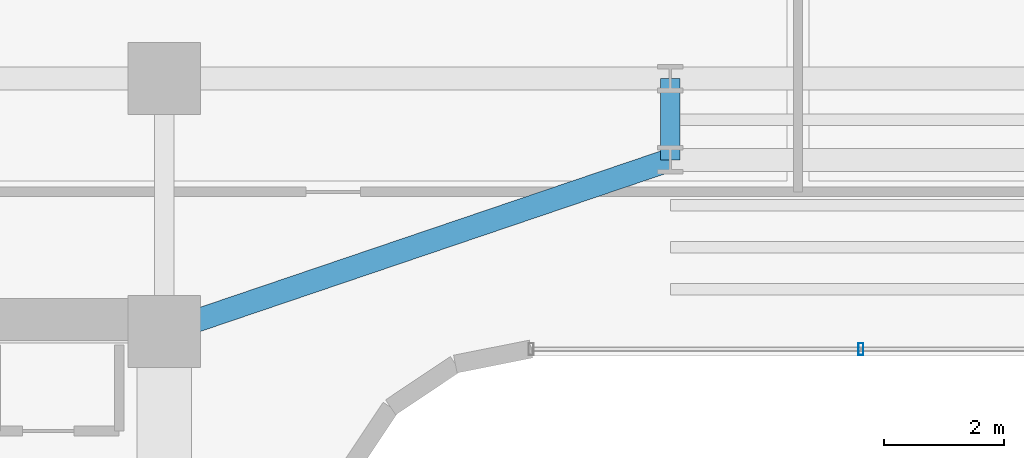
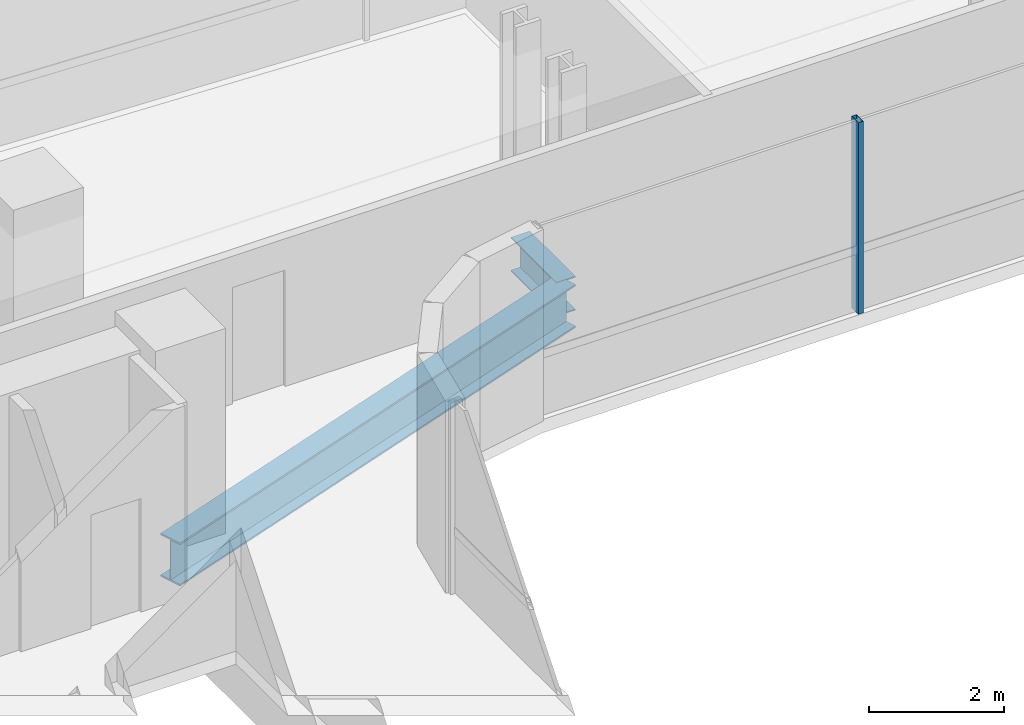
# One storey, part 10 of 34: 2 beams, 1 member, 1 element without a shape of its own.
"""IFC4 building model written with IfcOpenShell, lengths in metres."""

from ifc_helpers import new_model, si_unit, direction, frame, origin, origin_2d, place, context, subcontext, project, spatial, hollow_rectangle, i_section, extrude, source, transform, mapped, material, material_profile, profile_set, type_object, element, aggregate, save


model = new_model("IFC4")

# Units and contexts
model_context = context("Model", 3, precision=1e-05, world=origin(), true_north=direction((0.0, 1.0)))
body_context = subcontext(model_context, "Body", "Model", "MODEL_VIEW")
ifc_project = project(units=[si_unit("LENGTHUNIT", "METRE"), si_unit("AREAUNIT", "SQUARE_METRE"), si_unit("VOLUMEUNIT", "CUBIC_METRE"), si_unit("PLANEANGLEUNIT", "RADIAN"), si_unit("MASSUNIT", "GRAM", prefix="KILO")], contexts=[model_context])

# Site, building, storey
site_placement = place(None, origin())
site = spatial("IfcSite", under=ifc_project, at=site_placement, CompositionType="ELEMENT")
building_placement = place(site_placement, origin())
building = spatial("IfcBuilding", under=site, at=building_placement, Name="Valdorenza Pilgrim Sanctuary Tower", CompositionType="ELEMENT")
storey_placement = place(building_placement, frame((0.0, 0.0, 146.39990234375)))
storey = spatial("IfcBuildingStorey", under=building, at=storey_placement, Name="L37", CompositionType="ELEMENT", Elevation=146.39990234375)

# Beams
ifc_material_1 = material(Name="Steel ASTM A992 Grade 50", Category="steel")
ifc_material_profile_1 = material_profile(ifc_material_1, i_section(OverallWidth=0.323974609375, OverallDepth=0.611083984375, WebThickness=0.0126953125, FlangeThickness=0.01904296875, at=origin_2d()), Name="W24X104")
ifc_profile_set_1 = profile_set([ifc_material_profile_1], Name="Steel ASTM A992 Grade 50")
beam_type_1 = type_object("IfcBeamType", Name="STR-BM-GRD-W24B", PredefinedType="BEAM", material=ifc_profile_set_1)
shared_shape_1 = source(origin(), body_context, "Body", "SweptSolid", [
    extrude(i_section(OverallWidth=0.323974609375, OverallDepth=0.611083984375, WebThickness=0.0126953125, FlangeThickness=0.01904296875, at=origin_2d()), origin(), (0.0, 0.0, 1.0), 1.35009765625),
])
beam_1_placement = place(storey_placement, frame((-4.0, 13.449951171875, -0.54541015625), z_axis=(0.0, 1.0, 0.0), x_axis=(-1.0, 0.0, 0.0)))
element("IfcBeam", 1, at=beam_1_placement, inside=storey, type_object=beam_type_1, Name="L37 Floor Girder KNK-TIE-W", PredefinedType="BEAM", context=body_context, shape_type="MappedRepresentation", body=[
    mapped(shared_shape_1, transform((0.0, 0.0, 0.0), x_axis=(1.0, 0.0, 0.0), y_axis=(0.0, 1.0, 0.0), z_axis=(0.0, 0.0, 1.0), scale=1.0)),
])
ifc_material_profile_2 = material_profile(ifc_material_1, i_section(OverallWidth=0.382080078125, OverallDepth=0.779052734375, WebThickness=0.01806640625, FlangeThickness=0.030029296875, at=origin_2d()), Name="W30X191")
ifc_profile_set_2 = profile_set([ifc_material_profile_2], Name="Steel ASTM A992 Grade 50")
beam_type_2 = type_object("IfcBeamType", Name="STR-BM-GRD-W30", PredefinedType="BEAM", material=ifc_profile_set_2)
shared_shape_2 = source(origin(), body_context, "Body", "SweptSolid", [
    extrude(i_section(OverallWidth=0.382080078125, OverallDepth=0.779052734375, WebThickness=0.01806640625, FlangeThickness=0.030029296875, at=origin_2d()), origin(), (0.0, 0.0, 1.0), 8.8701171875),
])
beam_2_placement = place(storey_placement, frame((-12.39990234375, 10.60009765625, -0.62939453125), z_axis=(0.946982588361, 0.321284885018, 0.0), x_axis=(-0.321284885018, 0.946982588361, 0.0)))
element("IfcBeam", 2, at=beam_2_placement, inside=storey, type_object=beam_type_2, Name="L37 Floor Girder KNK-G1", PredefinedType="BEAM", context=body_context, shape_type="MappedRepresentation", body=[
    mapped(shared_shape_2, transform((0.0, 0.0, 0.0), x_axis=(1.0, 0.0, 0.0), y_axis=(0.0, 1.0, 0.0), z_axis=(0.0, 0.0, 1.0), scale=1.0)),
])

# Curtain wall, member
ifc_material_2 = material(Name="Curtain-wall IGU glazing", Category="glass")
curtain_wall_type = type_object("IfcCurtainWallType", Name="CW-SYS-02", PredefinedType="NOTDEFINED", material=ifc_material_2)
curtain_wall_placement = place(storey_placement, origin())
curtain_wall = element("IfcCurtainWall", 3, at=curtain_wall_placement, inside=storey, type_object=curtain_wall_type, Name="L37 Curtain Wall CW-L37-1-36", PredefinedType="NOTDEFINED")
ifc_material_3 = material(Name="Anodised aluminium AW-6060", Category="aluminium")
ifc_material_profile_3 = material_profile(ifc_material_3, hollow_rectangle(XDim=0.0849609375, YDim=0.199951171875, WallThickness=0.0048828125, at=origin_2d()), Name="ALU-M 200x85x5")
ifc_profile_set_3 = profile_set([ifc_material_profile_3], Name="Anodised aluminium AW-6060")
member_type = type_object("IfcMemberType", Name="CW-MUL-02", PredefinedType="MULLION", material=ifc_profile_set_3)
shared_shape_3 = source(origin(), body_context, "Body", "SweptSolid", [
    extrude(hollow_rectangle(XDim=0.0849609375, YDim=0.199951171875, WallThickness=0.0048828125, at=origin_2d()), origin(), (0.0, 0.0, 1.0), 3.460205078125),
])
member_placement = place(storey_placement, frame((-0.8369140625, 10.31005859375, 0.0), z_axis=(0.0, 0.0, 1.0), x_axis=(-1.0, 0.0, 0.0)))
member = element("IfcMember", 4, at=member_placement, type_object=member_type, Name="CW-L37-1-36 Mullion 3", PredefinedType="MULLION", context=body_context, shape_type="MappedRepresentation", body=[
    mapped(shared_shape_3, transform((0.0, 0.0, 0.0), x_axis=(1.0, 0.0, 0.0), y_axis=(0.0, 1.0, 0.0), z_axis=(0.0, 0.0, 1.0), scale=1.0)),
])
aggregate(curtain_wall, [member])

save(model, "model.ifc")
